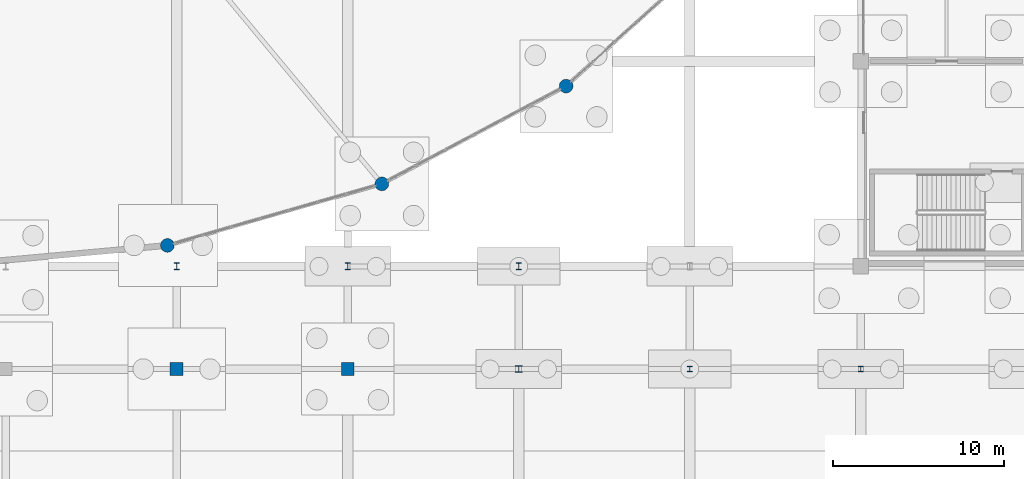
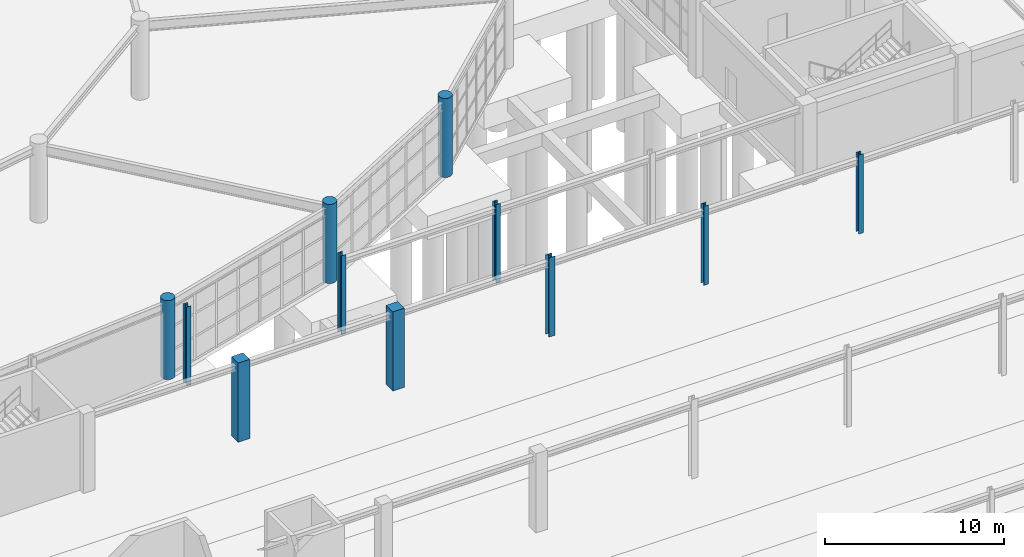
# One storey, part 15 of 99: 11 columns.
"""IFC4 building model written with IfcOpenShell, lengths in metres."""

from ifc_helpers import new_model, si_unit, direction, frame, origin, origin_2d, place, context, subcontext, project, spatial, rectangle, circle, i_section, extrude, material, material_profile, profile_set, type_object, element, save


model = new_model("IFC4")

# Units and contexts
model_context = context("Model", 3, precision=1e-05, world=origin(), true_north=direction((0.0, 1.0)))
body_context = subcontext(model_context, "Body", "Model", "MODEL_VIEW")
ifc_project = project(units=[si_unit("LENGTHUNIT", "METRE"), si_unit("AREAUNIT", "SQUARE_METRE"), si_unit("VOLUMEUNIT", "CUBIC_METRE"), si_unit("PLANEANGLEUNIT", "RADIAN"), si_unit("MASSUNIT", "GRAM", prefix="KILO")], contexts=[model_context])

# Site, building, storey
site_placement = place(None, origin())
site = spatial("IfcSite", under=ifc_project, at=site_placement, CompositionType="ELEMENT")
building_placement = place(site_placement, origin())
building = spatial("IfcBuilding", under=site, at=building_placement, Name="Kivolera Central Railway Station", CompositionType="ELEMENT")
storey_placement = place(building_placement, origin())
storey = spatial("IfcBuildingStorey", under=building, at=storey_placement, Name="L00", CompositionType="ELEMENT", Elevation=0.0)

# Columns
ifc_material_1 = material(Name="Concrete C40/50", Category="concrete")
ifc_material_profile_1 = material_profile(ifc_material_1, rectangle(XDim=0.75, YDim=0.75, at=origin_2d()), Name="RC 750x750")
ifc_profile_set_1 = profile_set([ifc_material_profile_1], Name="Concrete C40/50")
column_type_1 = type_object("IfcColumnType", Name="COL-RC-750", PredefinedType="COLUMN", material=ifc_profile_set_1)
for number, where, z_axis, x_axis, name in (
    (1, (78.0, 48.0, 0.0), (0.0, 0.0, 1.0), (1.0, 0.0, 0.0), "L00 Train Shed Column 8-D"),
    (2, (88.0, 48.0, 0.0), (0.0, 0.0, 1.0), (1.0, 0.0, 0.0), "L00 Train Shed Column 9-D"),
):
    element("IfcColumn", number, at=place(storey_placement, frame(where, z_axis=z_axis, x_axis=x_axis)), inside=storey, type_object=column_type_1, Name=name, PredefinedType="COLUMN", context=body_context, shape_type="SweptSolid", body=[
        extrude(rectangle(XDim=0.75, YDim=0.75, at=origin_2d()), origin(), (0.0, 0.0, 1.0), 5.39990234375),
    ])
ifc_material_profile_2 = material_profile(ifc_material_1, circle(Radius=0.39990234375, at=origin_2d()), Name="RC D800")
ifc_profile_set_2 = profile_set([ifc_material_profile_2], Name="Concrete C40/50")
column_type_2 = type_object("IfcColumnType", Name="COL-RC-D800", PredefinedType="COLUMN", material=ifc_profile_set_2)
for number, where, z_axis, x_axis, name in (
    (3, (77.458984375, 55.22705078125, 0.0), (0.0, 0.0, 1.0), (1.0, 0.0, 0.0), "L00 Oval Drum Perimeter Column P20"),
    (4, (90.0, 58.822998046875, 0.0), (0.0, 0.0, 1.0), (1.0, 0.0, 0.0), "L00 Oval Drum Perimeter Column P21"),
    (5, (100.77001953125, 64.5439453125, 0.0), (0.0, 0.0, 1.0), (1.0, 0.0, 0.0), "L00 Oval Drum Perimeter Column P22"),
):
    element("IfcColumn", number, at=place(storey_placement, frame(where, z_axis=z_axis, x_axis=x_axis)), inside=storey, type_object=column_type_2, Name=name, PredefinedType="COLUMN", context=body_context, shape_type="SweptSolid", body=[
        extrude(circle(Radius=0.39990234375, at=origin_2d()), origin(), (0.0, 0.0, 1.0), 5.39990234375),
    ])
ifc_material_2 = material(Name="Steel S355", Category="steel")
ifc_material_profile_3 = material_profile(ifc_material_2, i_section(OverallWidth=0.300048828125, OverallDepth=0.39990234375, WebThickness=0.013427734375, FlangeThickness=0.02392578125, FilletRadius=0.027099609375, at=origin_2d()), Name="HEB 400")
ifc_profile_set_3 = profile_set([ifc_material_profile_3], Name="Steel S355")
column_type_3 = type_object("IfcColumnType", Name="COL-STL-HEB400", PredefinedType="COLUMN", material=ifc_profile_set_3)
for number, where, z_axis, x_axis, name in (
    (6, (78.0, 54.0, 0.0), (0.0, 0.0, 1.0), (1.0, 0.0, 0.0), "L00 Train Shed Threshold Column 8-E"),
    (7, (88.0, 54.0, 0.0), (0.0, 0.0, 1.0), (1.0, 0.0, 0.0), "L00 Train Shed Threshold Column 9-E"),
    (8, (98.0, 54.0, 0.0), (0.0, 0.0, 1.0), (1.0, 0.0, 0.0), "L00 Train Shed Threshold Column 10-E"),
):
    element("IfcColumn", number, at=place(storey_placement, frame(where, z_axis=z_axis, x_axis=x_axis)), inside=storey, type_object=column_type_3, Name=name, PredefinedType="COLUMN", context=body_context, shape_type="SweptSolid", body=[
        extrude(i_section(OverallWidth=0.300048828125, OverallDepth=0.39990234375, WebThickness=0.013427734375, FlangeThickness=0.02392578125, FilletRadius=0.027099609375, at=origin_2d()), origin(), (0.0, 0.0, 1.0), 5.39990234375),
    ])
ifc_material_profile_4 = material_profile(ifc_material_2, i_section(OverallWidth=0.30908203125, OverallDepth=0.320556640625, WebThickness=0.013916015625, FlangeThickness=0.021728515625, FilletRadius=0.01513671875, at=origin_2d()), Name="UC 305x305x137")
ifc_profile_set_4 = profile_set([ifc_material_profile_4], Name="Steel S355")
column_type_4 = type_object("IfcColumnType", Name="COL-STL-UC305", PredefinedType="COLUMN", material=ifc_profile_set_4)
for number, where, z_axis, x_axis, name in (
    (9, (108.0, 48.0, 0.0), (0.0, 0.0, 1.0), (1.0, 0.0, 0.0), "L00 Train Shed Column 11-D"),
    (10, (118.0, 48.0, 0.0), (0.0, 0.0, 1.0), (1.0, 0.0, 0.0), "L00 Train Shed Column 12-D"),
):
    element("IfcColumn", number, at=place(storey_placement, frame(where, z_axis=z_axis, x_axis=x_axis)), inside=storey, type_object=column_type_4, Name=name, PredefinedType="COLUMN", context=body_context, shape_type="SweptSolid", body=[
        extrude(i_section(OverallWidth=0.30908203125, OverallDepth=0.320556640625, WebThickness=0.013916015625, FlangeThickness=0.021728515625, FilletRadius=0.01513671875, at=origin_2d()), origin(), (0.0, 0.0, 1.0), 5.39990234375),
    ])
ifc_material_profile_5 = material_profile(ifc_material_2, i_section(OverallWidth=0.394775390625, OverallDepth=0.381103515625, WebThickness=0.018310546875, FlangeThickness=0.0302734375, FilletRadius=0.01513671875, at=origin_2d()), Name="UC 356x406x235")
ifc_profile_set_5 = profile_set([ifc_material_profile_5], Name="Steel S355")
column_type_5 = type_object("IfcColumnType", Name="COL-STL-UC356", PredefinedType="COLUMN", material=ifc_profile_set_5)
column_placement = place(storey_placement, frame((98.0, 48.0, 0.0), z_axis=(0.0, 0.0, 1.0), x_axis=(1.0, 0.0, 0.0)))
element("IfcColumn", 11, at=column_placement, inside=storey, type_object=column_type_5, Name="L00 Train Shed Column 10-D", PredefinedType="COLUMN", context=body_context, shape_type="SweptSolid", body=[
    extrude(i_section(OverallWidth=0.394775390625, OverallDepth=0.381103515625, WebThickness=0.018310546875, FlangeThickness=0.0302734375, FilletRadius=0.01513671875, at=origin_2d()), origin(), (0.0, 0.0, 1.0), 5.39990234375),
])

save(model, "model.ifc")
